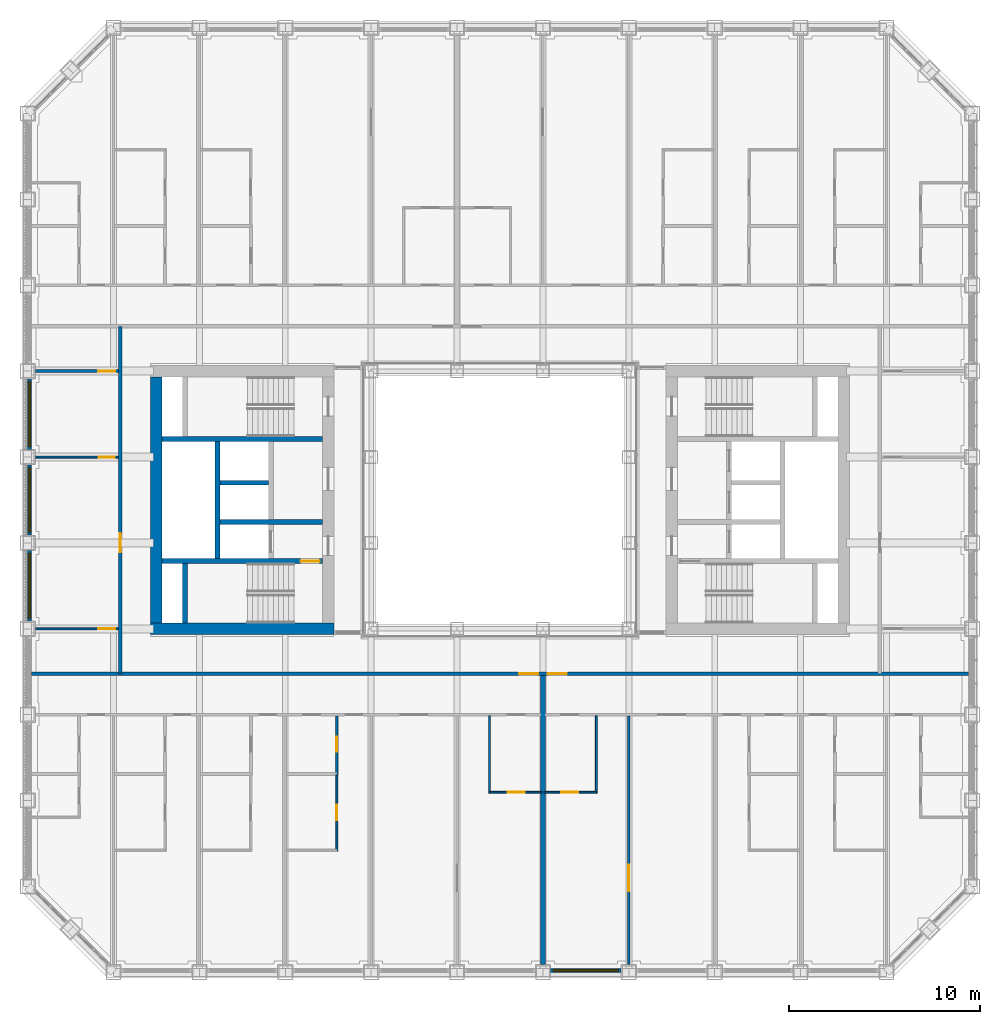
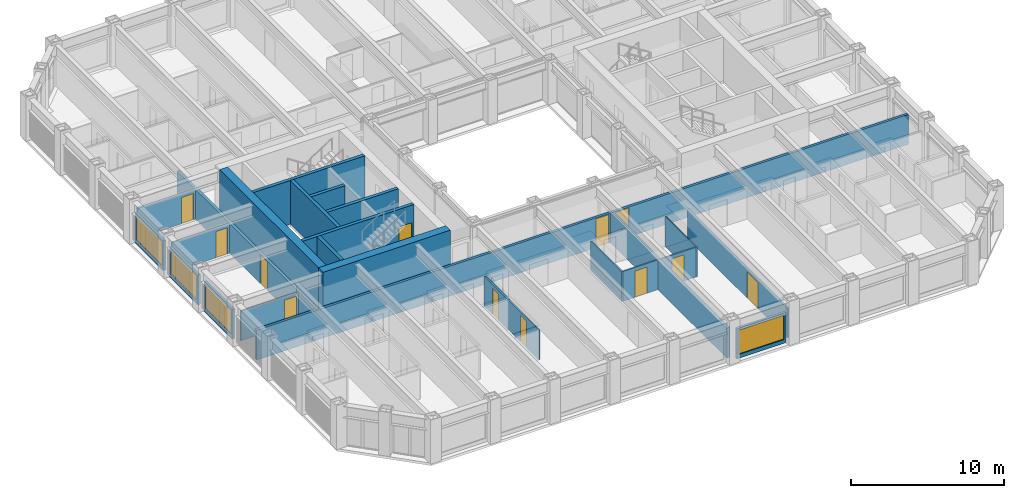
# One storey, part 10 of 21: 25 walls, 12 doors, 4 windows, 16 openings.
"""IFC4 building model written with IfcOpenShell, lengths in metres."""

from ifc_helpers import new_model, si_unit, direction, frame, frame_2d, origin, place, context, subcontext, project, spatial, rectangle, extrude, material, layer, layer_set, type_object, element, fill, save


model = new_model("IFC4")

# Units and contexts
model_context = context("Model", 3, precision=1e-05, world=origin(), true_north=direction((0.0, 1.0)))
body_context = subcontext(model_context, "Body", "Model", "MODEL_VIEW")
ifc_project = project(units=[si_unit("LENGTHUNIT", "METRE"), si_unit("AREAUNIT", "SQUARE_METRE"), si_unit("VOLUMEUNIT", "CUBIC_METRE"), si_unit("PLANEANGLEUNIT", "RADIAN"), si_unit("MASSUNIT", "GRAM", prefix="KILO")], contexts=[model_context])

# Site, building, storey
site_placement = place(None, origin())
site = spatial("IfcSite", under=ifc_project, at=site_placement, CompositionType="ELEMENT")
building_placement = place(site_placement, origin())
building = spatial("IfcBuilding", under=site, at=building_placement, Name="Msasa Ring Tower", CompositionType="ELEMENT")
storey_placement = place(building_placement, frame((0.0, 0.0, 86.0)))
storey = spatial("IfcBuildingStorey", under=building, at=storey_placement, Name="L22", CompositionType="ELEMENT", Elevation=86.0)

# Walls
ifc_material_1 = material(Name="Concrete C60/75", Category="concrete")
ifc_layer_1 = layer(ifc_material_1, 0.60009765625)
ifc_layer_set_1 = layer_set([ifc_layer_1], Name="CW1 CORE WALL 600")
wall_type_1 = type_object("IfcWallType", Name="CW1 CORE WALL 600", PredefinedType="SHEAR", material=ifc_layer_set_1)
wall_1_placement = place(storey_placement, frame((-8.699951171875, -6.75, 0.0), z_axis=(0.0, 0.0, 1.0), x_axis=(-1.0, 0.0, 0.0)))
element("IfcWall", 1, at=wall_1_placement, inside=storey, type_object=wall_type_1, Name="W core wall S L22", PredefinedType="SHEAR", context=body_context, shape_type="SweptSolid", body=[
    extrude(rectangle(XDim=9.60009765625, YDim=0.60009765625, at=frame_2d((4.800048828125, 0.0))), origin(), (0.0, 0.0, 1.0), 3.5),
])
wall_2_placement = place(storey_placement, frame((-18.0, -6.449951171875, 0.0), z_axis=(0.0, 0.0, 1.0), x_axis=(0.0, 1.0, 0.0)))
element("IfcWall", 2, at=wall_2_placement, inside=storey, type_object=wall_type_1, Name="W core wall E L22", PredefinedType="SHEAR", context=body_context, shape_type="SweptSolid", body=[
    extrude(rectangle(XDim=12.89990234375, YDim=0.60009765625, at=frame_2d((6.449951171875, 0.0))), origin(), (0.0, 0.0, 1.0), 3.5),
])

# Wall, opening, door
ifc_material_2 = material(Name="Concrete C60/75", Category="concrete")
ifc_layer_2 = layer(ifc_material_2, 0.25)
ifc_layer_set_2 = layer_set([ifc_layer_2], Name="CW4 CORE INNER WALL 250")
wall_type_2 = type_object("IfcWallType", Name="CW4 CORE INNER WALL 250", PredefinedType="SHEAR", material=ifc_layer_set_2)
wall_3_placement = place(storey_placement, frame((-9.300048828125, -3.199951171875, 0.0), z_axis=(0.0, 0.0, 1.0), x_axis=(-1.0, 0.0, 0.0)))
wall_3 = element("IfcWall", 3, at=wall_3_placement, inside=storey, type_object=wall_type_2, Name="W core wall STAIRA L22", PredefinedType="SHEAR", context=body_context, shape_type="SweptSolid", body=[
    extrude(rectangle(XDim=8.39990234375, YDim=0.25, at=frame_2d((4.199951171875, 0.0))), origin(), (0.0, 0.0, 1.0), 3.5),
])
opening_1_placement = place(wall_3_placement, frame((0.14990234375, 0.0, 0.0)))
opening_1 = element("IfcOpeningElement", 4, at=opening_1_placement, cuts=wall_3, Name="Opening RF-048", PredefinedType="OPENING", context=body_context, shape_type="SweptSolid", body=[
    extrude(rectangle(XDim=1.0, YDim=2.10009765625, at=frame_2d((0.5, 1.050048828125))), frame((0.0, 0.135009765625, 0.0), z_axis=(0.0, -1.0, 0.0), x_axis=(1.0, 0.0, 0.0)), (0.0, 0.0, 1.0), 0.27001953125),
])
ifc_material_3 = material(Name="Timber door leaf in a steel frame", Category="steel")
door_type_1 = type_object("IfcDoorType", Name="D6 STAIR DOOR 1000x2100", OperationType="SINGLE_SWING_LEFT", PredefinedType="DOOR", material=ifc_material_3)
door_1_placement = place(opening_1_placement, origin())
door_1 = element("IfcDoor", 5, at=door_1_placement, inside=storey, type_object=door_type_1, Name="Door L22-WSTA", OperationType="SINGLE_SWING_LEFT", OverallHeight=2.10009765625, OverallWidth=1.0, PredefinedType="DOOR", context=body_context, shape_type="SweptSolid", body=[
    extrude(rectangle(XDim=1.0, YDim=2.10009765625, at=frame_2d((0.5, 1.050048828125))), frame((0.0, 0.02490234375, 0.0), z_axis=(0.0, -1.0, 0.0), x_axis=(1.0, 0.0, 0.0)), (0.0, 0.0, 1.0), 0.050048828125),
])
fill(opening_1, door_1)

# Walls
wall_4_placement = place(storey_placement, frame((-9.300048828125, 3.199951171875, 0.0), z_axis=(0.0, 0.0, 1.0), x_axis=(-1.0, 0.0, 0.0)))
element("IfcWall", 6, at=wall_4_placement, inside=storey, type_object=wall_type_2, Name="W core wall STAIRB L22", PredefinedType="SHEAR", context=body_context, shape_type="SweptSolid", body=[
    extrude(rectangle(XDim=8.39990234375, YDim=0.25, at=frame_2d((4.199951171875, 0.0))), origin(), (0.0, 0.0, 1.0), 3.5),
])
wall_5_placement = place(storey_placement, frame((-16.5, -6.449951171875, 0.0), z_axis=(0.0, 0.0, 1.0), x_axis=(0.0, 1.0, 0.0)))
element("IfcWall", 7, at=wall_5_placement, inside=storey, type_object=wall_type_2, Name="W core wall RISERA L22", PredefinedType="SHEAR", context=body_context, shape_type="SweptSolid", body=[
    extrude(rectangle(XDim=3.125, YDim=0.25, at=frame_2d((1.5625, 0.0))), origin(), (0.0, 0.0, 1.0), 3.5),
])
wall_6_placement = place(storey_placement, frame((-9.300048828125, -1.14990234375, 0.0), z_axis=(0.0, 0.0, 1.0), x_axis=(-1.0, 0.0, 0.0)))
element("IfcWall", 8, at=wall_6_placement, inside=storey, type_object=wall_type_2, Name="W core wall FFL L22", PredefinedType="SHEAR", context=body_context, shape_type="SweptSolid", body=[
    extrude(rectangle(XDim=5.375, YDim=0.25, at=frame_2d((2.6875, 0.0))), origin(), (0.0, 0.0, 1.0), 3.5),
])
wall_7_placement = place(storey_placement, frame((-14.800048828125, -3.074951171875, 0.0), z_axis=(0.0, 0.0, 1.0), x_axis=(0.0, 1.0, 0.0)))
element("IfcWall", 9, at=wall_7_placement, inside=storey, type_object=wall_type_2, Name="W core wall SHAFT L22", PredefinedType="SHEAR", context=body_context, shape_type="SweptSolid", body=[
    extrude(rectangle(XDim=6.14990234375, YDim=0.25, at=frame_2d((3.074951171875, 0.0))), origin(), (0.0, 0.0, 1.0), 3.5),
])
wall_8_placement = place(storey_placement, frame((-12.125, 0.89990234375, 0.0), z_axis=(0.0, 0.0, 1.0), x_axis=(-1.0, 0.0, 0.0)))
element("IfcWall", 10, at=wall_8_placement, inside=storey, type_object=wall_type_2, Name="W core wall LIFT1 L22", PredefinedType="SHEAR", context=body_context, shape_type="SweptSolid", body=[
    extrude(rectangle(XDim=2.550048828125, YDim=0.25, at=frame_2d((1.27490234375, 0.0))), origin(), (0.0, 0.0, 1.0), 3.5),
])

# Wall, opening, window
ifc_material_4 = material(Name="Terracotta rainscreen on blockwork", Category="masonry")
ifc_layer_3 = layer(ifc_material_4, 0.199951171875)
ifc_layer_set_3 = layer_set([ifc_layer_3], Name="FW1 TERRACOTTA-LINED INFILL BAY WALL 200")
wall_type_3 = type_object("IfcWallType", Name="FW1 TERRACOTTA-LINED INFILL BAY WALL 200", PredefinedType="SOLIDWALL", material=ifc_layer_set_3)
wall_9_placement = place(storey_placement, frame((2.655029296875, -24.64990234375, 0.0), z_axis=(0.0, 0.0, 1.0), x_axis=(1.0, 0.0, 0.0)))
wall_9 = element("IfcWall", 11, at=wall_9_placement, inside=storey, type_object=wall_type_3, Name="Infill bay wall S L22 05", PredefinedType="SOLIDWALL", context=body_context, shape_type="SweptSolid", body=[
    extrude(rectangle(XDim=3.68994140625, YDim=0.199951171875, at=frame_2d((1.844970703125, 0.0))), origin(), (0.0, 0.0, 1.0), 2.37890625),
])
opening_2_placement = place(wall_9_placement, frame((0.14501953125, 0.0, 0.300048828125)))
opening_2 = element("IfcOpeningElement", 12, at=opening_2_placement, cuts=wall_9, Name="Opening WN1", PredefinedType="OPENING", context=body_context, shape_type="SweptSolid", body=[
    extrude(rectangle(XDim=3.39990234375, YDim=1.928955078125, at=frame_2d((1.699951171875, 0.96435546875))), frame((0.0, 0.10986328125, 0.0), z_axis=(0.0, -1.0, 0.0), x_axis=(1.0, 0.0, 0.0)), (0.0, 0.0, 1.0), 0.219970703125),
])
ifc_material_5 = material(Name="Aluminium frame with clear glass", Category="aluminium")
window_type = type_object("IfcWindowType", Name="WN1 RESIDENCE WINDOW 3400x1929", PartitioningType="SINGLE_PANEL", PredefinedType="WINDOW", material=ifc_material_5)
window_1_placement = place(opening_2_placement, origin())
window_1 = element("IfcWindow", 13, at=window_1_placement, inside=storey, type_object=window_type, Name="Window S L22 05", OverallHeight=1.928955078125, OverallWidth=3.39990234375, PartitioningType="SINGLE_PANEL", PredefinedType="WINDOW", context=body_context, shape_type="SweptSolid", body=[
    extrude(rectangle(XDim=3.39990234375, YDim=1.928955078125, at=frame_2d((1.699951171875, 0.96435546875))), frame((0.0, 0.030029296875, 0.0), z_axis=(0.0, -1.0, 0.0), x_axis=(1.0, 0.0, 0.0)), (0.0, 0.0, 1.0), 0.06005859375),
])
fill(opening_2, window_1)

wall_10_placement = place(storey_placement, frame((-24.64990234375, -6.344970703125, 0.0), z_axis=(0.0, 0.0, 1.0), x_axis=(0.0, 1.0, 0.0)))
wall_10 = element("IfcWall", 14, at=wall_10_placement, inside=storey, type_object=wall_type_3, Name="Infill bay wall W L22 36", PredefinedType="SOLIDWALL", context=body_context, shape_type="SweptSolid", body=[
    extrude(rectangle(XDim=3.68994140625, YDim=0.199951171875, at=frame_2d((1.844970703125, 0.0))), origin(), (0.0, 0.0, 1.0), 2.37890625),
])
opening_3_placement = place(wall_10_placement, frame((0.14501953125, 0.0, 0.300048828125)))
opening_3 = element("IfcOpeningElement", 15, at=opening_3_placement, cuts=wall_10, Name="Opening WN1", PredefinedType="OPENING", context=body_context, shape_type="SweptSolid", body=[
    extrude(rectangle(XDim=3.39990234375, YDim=1.928955078125, at=frame_2d((1.699951171875, 0.96435546875))), frame((0.0, 0.10986328125, 0.0), z_axis=(0.0, -1.0, 0.0), x_axis=(1.0, 0.0, 0.0)), (0.0, 0.0, 1.0), 0.219970703125),
])
window_2_placement = place(opening_3_placement, origin())
window_2 = element("IfcWindow", 16, at=window_2_placement, inside=storey, type_object=window_type, Name="Window W L22 36", OverallHeight=1.928955078125, OverallWidth=3.39990234375, PartitioningType="SINGLE_PANEL", PredefinedType="WINDOW", context=body_context, shape_type="SweptSolid", body=[
    extrude(rectangle(XDim=3.39990234375, YDim=1.928955078125, at=frame_2d((1.699951171875, 0.96435546875))), frame((0.0, 0.030029296875, 0.0), z_axis=(0.0, -1.0, 0.0), x_axis=(1.0, 0.0, 0.0)), (0.0, 0.0, 1.0), 0.06005859375),
])
fill(opening_3, window_2)

wall_11_placement = place(storey_placement, frame((-24.64990234375, -1.844970703125, 0.0), z_axis=(0.0, 0.0, 1.0), x_axis=(0.0, 1.0, 0.0)))
wall_11 = element("IfcWall", 17, at=wall_11_placement, inside=storey, type_object=wall_type_3, Name="Infill bay wall W L22 37", PredefinedType="SOLIDWALL", context=body_context, shape_type="SweptSolid", body=[
    extrude(rectangle(XDim=3.68994140625, YDim=0.199951171875, at=frame_2d((1.844970703125, 0.0))), origin(), (0.0, 0.0, 1.0), 2.37890625),
])
opening_4_placement = place(wall_11_placement, frame((0.14501953125, 0.0, 0.300048828125)))
opening_4 = element("IfcOpeningElement", 18, at=opening_4_placement, cuts=wall_11, Name="Opening WN1", PredefinedType="OPENING", context=body_context, shape_type="SweptSolid", body=[
    extrude(rectangle(XDim=3.39990234375, YDim=1.928955078125, at=frame_2d((1.699951171875, 0.96435546875))), frame((0.0, 0.10986328125, 0.0), z_axis=(0.0, -1.0, 0.0), x_axis=(1.0, 0.0, 0.0)), (0.0, 0.0, 1.0), 0.219970703125),
])
window_3_placement = place(opening_4_placement, origin())
window_3 = element("IfcWindow", 19, at=window_3_placement, inside=storey, type_object=window_type, Name="Window W L22 37", OverallHeight=1.928955078125, OverallWidth=3.39990234375, PartitioningType="SINGLE_PANEL", PredefinedType="WINDOW", context=body_context, shape_type="SweptSolid", body=[
    extrude(rectangle(XDim=3.39990234375, YDim=1.928955078125, at=frame_2d((1.699951171875, 0.96435546875))), frame((0.0, 0.030029296875, 0.0), z_axis=(0.0, -1.0, 0.0), x_axis=(1.0, 0.0, 0.0)), (0.0, 0.0, 1.0), 0.06005859375),
])
fill(opening_4, window_3)

wall_12_placement = place(storey_placement, frame((-24.64990234375, 2.655029296875, 0.0), z_axis=(0.0, 0.0, 1.0), x_axis=(0.0, 1.0, 0.0)))
wall_12 = element("IfcWall", 20, at=wall_12_placement, inside=storey, type_object=wall_type_3, Name="Infill bay wall W L22 38", PredefinedType="SOLIDWALL", context=body_context, shape_type="SweptSolid", body=[
    extrude(rectangle(XDim=3.68994140625, YDim=0.199951171875, at=frame_2d((1.844970703125, 0.0))), origin(), (0.0, 0.0, 1.0), 2.37890625),
])
opening_5_placement = place(wall_12_placement, frame((0.14501953125, 0.0, 0.300048828125)))
opening_5 = element("IfcOpeningElement", 21, at=opening_5_placement, cuts=wall_12, Name="Opening WN1", PredefinedType="OPENING", context=body_context, shape_type="SweptSolid", body=[
    extrude(rectangle(XDim=3.39990234375, YDim=1.928955078125, at=frame_2d((1.699951171875, 0.96435546875))), frame((0.0, 0.10986328125, 0.0), z_axis=(0.0, -1.0, 0.0), x_axis=(1.0, 0.0, 0.0)), (0.0, 0.0, 1.0), 0.219970703125),
])
window_4_placement = place(opening_5_placement, origin())
window_4 = element("IfcWindow", 22, at=window_4_placement, inside=storey, type_object=window_type, Name="Window W L22 38", OverallHeight=1.928955078125, OverallWidth=3.39990234375, PartitioningType="SINGLE_PANEL", PredefinedType="WINDOW", context=body_context, shape_type="SweptSolid", body=[
    extrude(rectangle(XDim=3.39990234375, YDim=1.928955078125, at=frame_2d((1.699951171875, 0.96435546875))), frame((0.0, 0.030029296875, 0.0), z_axis=(0.0, -1.0, 0.0), x_axis=(1.0, 0.0, 0.0)), (0.0, 0.0, 1.0), 0.06005859375),
])
fill(opening_5, window_4)

# Wall, openings, doors
ifc_material_6 = material(Name="Concrete blockwork", Category="masonry")
ifc_layer_4 = layer(ifc_material_6, 0.199951171875)
ifc_layer_set_4 = layer_set([ifc_layer_4], Name="PT1 CORRIDOR WALL 200")
wall_type_4 = type_object("IfcWallType", Name="PT1 CORRIDOR WALL 200", PredefinedType="PARTITIONING", material=ifc_layer_set_4)
wall_13_placement = place(storey_placement, frame((-24.550048828125, -9.10009765625, 0.0), z_axis=(0.0, 0.0, 1.0), x_axis=(1.0, 0.0, 0.0)))
wall_13 = element("IfcWall", 23, at=wall_13_placement, inside=storey, type_object=wall_type_4, Name="Corridor wall L22-CORRS0", PredefinedType="PARTITIONING", context=body_context, shape_type="SweptSolid", body=[
    extrude(rectangle(XDim=49.10009765625, YDim=0.199951171875, at=frame_2d((24.550048828125, 0.0))), origin(), (0.0, 0.0, 1.0), 2.373291015625),
])
opening_6_placement = place(wall_13_placement, frame((25.550048828125, 0.0, 0.0)))
opening_6 = element("IfcOpeningElement", 24, at=opening_6_placement, cuts=wall_13, Name="Opening RF-054", PredefinedType="OPENING", context=body_context, shape_type="SweptSolid", body=[
    extrude(rectangle(XDim=1.0, YDim=2.300048828125, at=frame_2d((0.5, 1.14990234375))), frame((0.0, 0.10986328125, 0.0), z_axis=(0.0, -1.0, 0.0), x_axis=(1.0, 0.0, 0.0)), (0.0, 0.0, 1.0), 0.219970703125),
])
opening_7_placement = place(wall_13_placement, frame((27.050048828125, 0.0, 0.0)))
opening_7 = element("IfcOpeningElement", 25, at=opening_7_placement, cuts=wall_13, Name="Opening RF-055", PredefinedType="OPENING", context=body_context, shape_type="SweptSolid", body=[
    extrude(rectangle(XDim=1.0, YDim=2.300048828125, at=frame_2d((0.5, 1.14990234375))), frame((0.0, 0.10986328125, 0.0), z_axis=(0.0, -1.0, 0.0), x_axis=(1.0, 0.0, 0.0)), (0.0, 0.0, 1.0), 0.219970703125),
])
ifc_material_7 = material(Name="Timber door leaf in a steel frame", Category="steel")
door_type_2 = type_object("IfcDoorType", Name="D16 UPPER RESIDENCE ENTRANCE DOOR 1000x2300", OperationType="SINGLE_SWING_LEFT", PredefinedType="DOOR", material=ifc_material_7)
door_2_placement = place(opening_6_placement, origin())
door_2 = element("IfcDoor", 26, at=door_2_placement, inside=storey, type_object=door_type_2, Name="Door L22-VSW", OperationType="SINGLE_SWING_RIGHT", OverallHeight=2.300048828125, OverallWidth=1.0, PredefinedType="DOOR", context=body_context, shape_type="SweptSolid", body=[
    extrude(rectangle(XDim=1.0, YDim=2.300048828125, at=frame_2d((0.5, 1.14990234375))), frame((0.0, 0.02490234375, 0.0), z_axis=(0.0, -1.0, 0.0), x_axis=(1.0, 0.0, 0.0)), (0.0, 0.0, 1.0), 0.050048828125),
])
fill(opening_6, door_2)
door_3_placement = place(opening_7_placement, origin())
door_3 = element("IfcDoor", 27, at=door_3_placement, inside=storey, type_object=door_type_2, Name="Door L22-VSE", OperationType="SINGLE_SWING_RIGHT", OverallHeight=2.300048828125, OverallWidth=1.0, PredefinedType="DOOR", context=body_context, shape_type="SweptSolid", body=[
    extrude(rectangle(XDim=1.0, YDim=2.300048828125, at=frame_2d((0.5, 1.14990234375))), frame((0.0, 0.02490234375, 0.0), z_axis=(0.0, -1.0, 0.0), x_axis=(1.0, 0.0, 0.0)), (0.0, 0.0, 1.0), 0.050048828125),
])
fill(opening_7, door_3)

# Wall, opening, door
wall_14_placement = place(storey_placement, frame((-19.89990234375, -9.10009765625, 0.0), z_axis=(0.0, 0.0, 1.0), x_axis=(0.0, 1.0, 0.0)))
wall_14 = element("IfcWall", 28, at=wall_14_placement, inside=storey, type_object=wall_type_4, Name="Corridor wall L22-STRW", PredefinedType="PARTITIONING", context=body_context, shape_type="SweptSolid", body=[
    extrude(rectangle(XDim=18.2001953125, YDim=0.199951171875, at=frame_2d((9.10009765625, 0.0))), origin(), (0.0, 0.0, 1.0), 2.373291015625),
])
opening_8_placement = place(wall_14_placement, frame((6.35009765625, 0.0, 0.0)))
opening_8 = element("IfcOpeningElement", 29, at=opening_8_placement, cuts=wall_14, Name="Opening RF-044", PredefinedType="OPENING", context=body_context, shape_type="SweptSolid", body=[
    extrude(rectangle(XDim=1.0, YDim=2.300048828125, at=frame_2d((0.5, 1.14990234375))), frame((0.0, 0.10986328125, 0.0), z_axis=(0.0, -1.0, 0.0), x_axis=(1.0, 0.0, 0.0)), (0.0, 0.0, 1.0), 0.219970703125),
])
door_4_placement = place(opening_8_placement, origin())
door_4 = element("IfcDoor", 30, at=door_4_placement, inside=storey, type_object=door_type_2, Name="Door L22-STW", OperationType="SINGLE_SWING_LEFT", OverallHeight=2.300048828125, OverallWidth=1.0, PredefinedType="DOOR", context=body_context, shape_type="SweptSolid", body=[
    extrude(rectangle(XDim=1.0, YDim=2.300048828125, at=frame_2d((0.5, 1.14990234375))), frame((0.0, 0.02490234375, 0.0), z_axis=(0.0, -1.0, 0.0), x_axis=(1.0, 0.0, 0.0)), (0.0, 0.0, 1.0), 0.050048828125),
])
fill(opening_8, door_4)

# Wall
ifc_material_8 = material(Name="Gypsum board on steel studs", Category="steel")
ifc_layer_5 = layer(ifc_material_8, 0.10009765625)
ifc_layer_set_5 = layer_set([ifc_layer_5], Name="PT2 STUD PARTITION 100")
wall_type_5 = type_object("IfcWallType", Name="PT2 STUD PARTITION 100", PredefinedType="PARTITIONING", material=ifc_layer_set_5)
wall_15_placement = place(storey_placement, frame((-0.550048828125, -15.362548828125, 0.0), z_axis=(0.0, 0.0, 1.0), x_axis=(0.0, 1.0, 0.0)))
element("IfcWall", 31, at=wall_15_placement, inside=storey, type_object=wall_type_5, Name="Partition L22-VSWKX", PredefinedType="PARTITIONING", context=body_context, shape_type="SweptSolid", body=[
    extrude(rectangle(XDim=4.050048828125, YDim=0.10009765625, at=frame_2d((2.02490234375, 0.0))), origin(), (0.0, 0.0, 1.0), 2.373291015625),
])

# Wall, opening, door
wall_16_placement = place(storey_placement, frame((-0.550048828125, -15.3125, 0.0), z_axis=(0.0, 0.0, 1.0), x_axis=(1.0, 0.0, 0.0)))
wall_16 = element("IfcWall", 32, at=wall_16_placement, inside=storey, type_object=wall_type_5, Name="Partition L22-VSWKY", PredefinedType="PARTITIONING", context=body_context, shape_type="SweptSolid", body=[
    extrude(rectangle(XDim=2.732666015625, YDim=0.10009765625, at=frame_2d((1.3662109375, 0.0))), origin(), (0.0, 0.0, 1.0), 2.373291015625),
])
opening_9_placement = place(wall_16_placement, frame((0.949951171875, 0.0, 0.0)))
opening_9 = element("IfcOpeningElement", 33, at=opening_9_placement, cuts=wall_16, Name="Opening RF-076", PredefinedType="OPENING", context=body_context, shape_type="SweptSolid", body=[
    extrude(rectangle(XDim=0.89990234375, YDim=2.10009765625, at=frame_2d((0.449951171875, 1.050048828125))), frame((0.0, 0.06005859375, 0.0), z_axis=(0.0, -1.0, 0.0), x_axis=(1.0, 0.0, 0.0)), (0.0, 0.0, 1.0), 0.1201171875),
])
ifc_material_9 = material(Name="Timber door leaf in a steel frame", Category="steel")
door_type_3 = type_object("IfcDoorType", Name="D22 INTERNAL HALL DOOR 900x2100", OperationType="SINGLE_SWING_LEFT", PredefinedType="DOOR", material=ifc_material_9)
door_5_placement = place(opening_9_placement, origin())
door_5 = element("IfcDoor", 34, at=door_5_placement, inside=storey, type_object=door_type_3, Name="Door L22-VSWKD", OperationType="SINGLE_SWING_RIGHT", OverallHeight=2.10009765625, OverallWidth=0.89990234375, PredefinedType="DOOR", context=body_context, shape_type="SweptSolid", body=[
    extrude(rectangle(XDim=0.89990234375, YDim=2.10009765625, at=frame_2d((0.449951171875, 1.050048828125))), frame((0.0, 0.02490234375, 0.0), z_axis=(0.0, -1.0, 0.0), x_axis=(1.0, 0.0, 0.0)), (0.0, 0.0, 1.0), 0.050048828125),
])
fill(opening_9, door_5)

wall_17_placement = place(storey_placement, frame((-8.550048828125, -18.403076171875, 0.0), z_axis=(0.0, 0.0, 1.0), x_axis=(0.0, 1.0, 0.0)))
wall_17 = element("IfcWall", 35, at=wall_17_placement, inside=storey, type_object=wall_type_5, Name="Partition L22-VSWWX1", PredefinedType="PARTITIONING", context=body_context, shape_type="SweptSolid", body=[
    extrude(rectangle(XDim=4.003173828125, YDim=0.10009765625, at=frame_2d((2.00146484375, 0.0))), origin(), (0.0, 0.0, 1.0), 2.373291015625),
])
opening_10_placement = place(wall_17_placement, frame((1.626708984375, 0.0, 0.0)))
opening_10 = element("IfcOpeningElement", 36, at=opening_10_placement, cuts=wall_17, Name="Opening RF-082", PredefinedType="OPENING", context=body_context, shape_type="SweptSolid", body=[
    extrude(rectangle(XDim=0.800048828125, YDim=2.10009765625, at=frame_2d((0.39990234375, 1.050048828125))), frame((0.0, 0.06005859375, 0.0), z_axis=(0.0, -1.0, 0.0), x_axis=(1.0, 0.0, 0.0)), (0.0, 0.0, 1.0), 0.1201171875),
])
ifc_material_10 = material(Name="Timber door leaf in a steel frame", Category="steel")
door_type_4 = type_object("IfcDoorType", Name="D60 DRESSING ROOM DOOR 800x2100", OperationType="SINGLE_SWING_LEFT", PredefinedType="DOOR", material=ifc_material_10)
door_6_placement = place(opening_10_placement, origin())
door_6 = element("IfcDoor", 37, at=door_6_placement, inside=storey, type_object=door_type_4, Name="Door L22-VSWW1", OperationType="SINGLE_SWING_LEFT", OverallHeight=2.10009765625, OverallWidth=0.800048828125, PredefinedType="DOOR", context=body_context, shape_type="SweptSolid", body=[
    extrude(rectangle(XDim=0.800048828125, YDim=2.10009765625, at=frame_2d((0.39990234375, 1.050048828125))), frame((0.0, 0.02490234375, 0.0), z_axis=(0.0, -1.0, 0.0), x_axis=(1.0, 0.0, 0.0)), (0.0, 0.0, 1.0), 0.050048828125),
])
fill(opening_10, door_6)

# Wall
wall_18_placement = place(storey_placement, frame((5.050048828125, -15.362548828125, 0.0), z_axis=(0.0, 0.0, 1.0), x_axis=(0.0, 1.0, 0.0)))
element("IfcWall", 38, at=wall_18_placement, inside=storey, type_object=wall_type_5, Name="Partition L22-VSEKX", PredefinedType="PARTITIONING", context=body_context, shape_type="SweptSolid", body=[
    extrude(rectangle(XDim=4.050048828125, YDim=0.10009765625, at=frame_2d((2.02490234375, 0.0))), origin(), (0.0, 0.0, 1.0), 2.373291015625),
])

# Wall, opening, door
wall_19_placement = place(storey_placement, frame((2.3173828125, -15.3125, 0.0), z_axis=(0.0, 0.0, 1.0), x_axis=(1.0, 0.0, 0.0)))
wall_19 = element("IfcWall", 39, at=wall_19_placement, inside=storey, type_object=wall_type_5, Name="Partition L22-VSEKY", PredefinedType="PARTITIONING", context=body_context, shape_type="SweptSolid", body=[
    extrude(rectangle(XDim=2.732666015625, YDim=0.10009765625, at=frame_2d((1.3662109375, 0.0))), origin(), (0.0, 0.0, 1.0), 2.373291015625),
])
opening_11_placement = place(wall_19_placement, frame((0.882568359375, 0.0, 0.0)))
opening_11 = element("IfcOpeningElement", 40, at=opening_11_placement, cuts=wall_19, Name="Opening RF-077", PredefinedType="OPENING", context=body_context, shape_type="SweptSolid", body=[
    extrude(rectangle(XDim=0.89990234375, YDim=2.10009765625, at=frame_2d((0.449951171875, 1.050048828125))), frame((0.0, 0.06005859375, 0.0), z_axis=(0.0, -1.0, 0.0), x_axis=(1.0, 0.0, 0.0)), (0.0, 0.0, 1.0), 0.1201171875),
])
door_7_placement = place(opening_11_placement, origin())
door_7 = element("IfcDoor", 41, at=door_7_placement, inside=storey, type_object=door_type_3, Name="Door L22-VSEKD", OperationType="SINGLE_SWING_LEFT", OverallHeight=2.10009765625, OverallWidth=0.89990234375, PredefinedType="DOOR", context=body_context, shape_type="SweptSolid", body=[
    extrude(rectangle(XDim=0.89990234375, YDim=2.10009765625, at=frame_2d((0.449951171875, 1.050048828125))), frame((0.0, 0.02490234375, 0.0), z_axis=(0.0, -1.0, 0.0), x_axis=(1.0, 0.0, 0.0)), (0.0, 0.0, 1.0), 0.050048828125),
])
fill(opening_11, door_7)

wall_20_placement = place(storey_placement, frame((-24.35009765625, -6.75, 0.0), z_axis=(0.0, 0.0, 1.0), x_axis=(1.0, 0.0, 0.0)))
wall_20 = element("IfcWall", 42, at=wall_20_placement, inside=storey, type_object=wall_type_5, Name="Partition L22-STWKY", PredefinedType="PARTITIONING", context=body_context, shape_type="SweptSolid", body=[
    extrude(rectangle(XDim=4.35009765625, YDim=0.10009765625, at=frame_2d((2.175048828125, 0.0))), origin(), (0.0, 0.0, 1.0), 2.373291015625),
])
opening_12_placement = place(wall_20_placement, frame((3.300048828125, 0.0, 0.0)))
opening_12 = element("IfcOpeningElement", 43, at=opening_12_placement, cuts=wall_20, Name="Opening RF-050", PredefinedType="OPENING", context=body_context, shape_type="SweptSolid", body=[
    extrude(rectangle(XDim=0.89990234375, YDim=2.10009765625, at=frame_2d((0.449951171875, 1.050048828125))), frame((0.0, 0.06005859375, 0.0), z_axis=(0.0, -1.0, 0.0), x_axis=(1.0, 0.0, 0.0)), (0.0, 0.0, 1.0), 0.1201171875),
])
door_8_placement = place(opening_12_placement, origin())
door_8 = element("IfcDoor", 44, at=door_8_placement, inside=storey, type_object=door_type_3, Name="Door L22-STWK", OperationType="SINGLE_SWING_RIGHT", OverallHeight=2.10009765625, OverallWidth=0.89990234375, PredefinedType="DOOR", context=body_context, shape_type="SweptSolid", body=[
    extrude(rectangle(XDim=0.89990234375, YDim=2.10009765625, at=frame_2d((0.449951171875, 1.050048828125))), frame((0.0, 0.02490234375, 0.0), z_axis=(0.0, -1.0, 0.0), x_axis=(1.0, 0.0, 0.0)), (0.0, 0.0, 1.0), 0.050048828125),
])
fill(opening_12, door_8)

wall_21_placement = place(storey_placement, frame((-24.35009765625, 2.25, 0.0), z_axis=(0.0, 0.0, 1.0), x_axis=(1.0, 0.0, 0.0)))
wall_21 = element("IfcWall", 45, at=wall_21_placement, inside=storey, type_object=wall_type_5, Name="Partition L22-STWRY", PredefinedType="PARTITIONING", context=body_context, shape_type="SweptSolid", body=[
    extrude(rectangle(XDim=4.35009765625, YDim=0.10009765625, at=frame_2d((2.175048828125, 0.0))), origin(), (0.0, 0.0, 1.0), 2.373291015625),
])
opening_13_placement = place(wall_21_placement, frame((3.324951171875, 0.0, 0.0)))
opening_13 = element("IfcOpeningElement", 46, at=opening_13_placement, cuts=wall_21, Name="Opening RF-040", PredefinedType="OPENING", context=body_context, shape_type="SweptSolid", body=[
    extrude(rectangle(XDim=0.85009765625, YDim=2.10009765625, at=frame_2d((0.425048828125, 1.050048828125))), frame((0.0, 0.06005859375, 0.0), z_axis=(0.0, -1.0, 0.0), x_axis=(1.0, 0.0, 0.0)), (0.0, 0.0, 1.0), 0.1201171875),
])
ifc_material_11 = material(Name="Timber door leaf in a steel frame", Category="steel")
door_type_5 = type_object("IfcDoorType", Name="D14 BEDROOM DOOR 850x2100", OperationType="SINGLE_SWING_LEFT", PredefinedType="DOOR", material=ifc_material_11)
door_9_placement = place(opening_13_placement, origin())
door_9 = element("IfcDoor", 47, at=door_9_placement, inside=storey, type_object=door_type_5, Name="Door L22-STWR", OperationType="SINGLE_SWING_RIGHT", OverallHeight=2.10009765625, OverallWidth=0.85009765625, PredefinedType="DOOR", context=body_context, shape_type="SweptSolid", body=[
    extrude(rectangle(XDim=0.85009765625, YDim=2.10009765625, at=frame_2d((0.425048828125, 1.050048828125))), frame((0.0, 0.02490234375, 0.0), z_axis=(0.0, -1.0, 0.0), x_axis=(1.0, 0.0, 0.0)), (0.0, 0.0, 1.0), 0.050048828125),
])
fill(opening_13, door_9)

# Wall
ifc_material_12 = material(Name="Dense concrete blockwork, plastered both faces", Category="masonry")
ifc_layer_6 = layer(ifc_material_12, 0.25)
ifc_layer_set_6 = layer_set([ifc_layer_6], Name="PT3 APARTMENT SEPARATING WALL 250")
wall_type_6 = type_object("IfcWallType", Name="PT3 APARTMENT SEPARATING WALL 250", PredefinedType="PARTITIONING", material=ifc_layer_set_6)
wall_22_placement = place(storey_placement, frame((2.25, -24.35009765625, 0.0), z_axis=(0.0, 0.0, 1.0), x_axis=(0.0, 1.0, 0.0)))
element("IfcWall", 48, at=wall_22_placement, inside=storey, type_object=wall_type_6, Name="Party wall L22-PWS+2.25", PredefinedType="PARTITIONING", context=body_context, shape_type="SweptSolid", body=[
    extrude(rectangle(XDim=15.150146484375, YDim=0.25, at=frame_2d((7.5751953125, 0.0))), origin(), (0.0, 0.0, 1.0), 2.373291015625),
])

# Wall, opening, door
ifc_material_13 = material(Name="Moisture-resistant board on steel studs with a concealed cistern and pipe void, tiled", Category="steel")
ifc_layer_7 = layer(ifc_material_13, 0.14990234375)
ifc_layer_set_7 = layer_set([ifc_layer_7], Name="PT4 BATHROOM WET WALL 150")
wall_type_7 = type_object("IfcWallType", Name="PT4 BATHROOM WET WALL 150", PredefinedType="PARTITIONING", material=ifc_layer_set_7)
wall_23_placement = place(storey_placement, frame((-8.550048828125, -14.39990234375, 0.0), z_axis=(0.0, 0.0, 1.0), x_axis=(0.0, 1.0, 0.0)))
wall_23 = element("IfcWall", 49, at=wall_23_placement, inside=storey, type_object=wall_type_7, Name="Partition L22-VSWBX1", PredefinedType="PARTITIONING", context=body_context, shape_type="SweptSolid", body=[
    extrude(rectangle(XDim=3.08740234375, YDim=0.14990234375, at=frame_2d((1.543701171875, 0.0))), origin(), (0.0, 0.0, 1.0), 2.373291015625),
])
opening_14_placement = place(wall_23_placement, frame((1.199951171875, 0.0, 0.0)))
opening_14 = element("IfcOpeningElement", 50, at=opening_14_placement, cuts=wall_23, Name="Opening RF-072", PredefinedType="OPENING", context=body_context, shape_type="SweptSolid", body=[
    extrude(rectangle(XDim=0.800048828125, YDim=2.10009765625, at=frame_2d((0.39990234375, 1.050048828125))), frame((0.0, 0.0849609375, 0.0), z_axis=(0.0, -1.0, 0.0), x_axis=(1.0, 0.0, 0.0)), (0.0, 0.0, 1.0), 0.169921875),
])
ifc_material_14 = material(Name="Timber door leaf in a steel frame", Category="steel")
door_type_6 = type_object("IfcDoorType", Name="D21 POCKET SLIDING BATHROOM DOOR 800x2100", OperationType="SINGLE_SWING_LEFT", PredefinedType="DOOR", material=ifc_material_14)
door_10_placement = place(opening_14_placement, origin())
door_10 = element("IfcDoor", 51, at=door_10_placement, inside=storey, type_object=door_type_6, Name="Door L22-VSWB1", OperationType="SINGLE_SWING_RIGHT", OverallHeight=2.10009765625, OverallWidth=0.800048828125, PredefinedType="DOOR", context=body_context, shape_type="SweptSolid", body=[
    extrude(rectangle(XDim=0.800048828125, YDim=2.10009765625, at=frame_2d((0.39990234375, 1.050048828125))), frame((0.0, 0.02490234375, 0.0), z_axis=(0.0, -1.0, 0.0), x_axis=(1.0, 0.0, 0.0)), (0.0, 0.0, 1.0), 0.050048828125),
])
fill(opening_14, door_10)

wall_24_placement = place(storey_placement, frame((-24.35009765625, 6.75, 0.0), z_axis=(0.0, 0.0, 1.0), x_axis=(1.0, 0.0, 0.0)))
wall_24 = element("IfcWall", 52, at=wall_24_placement, inside=storey, type_object=wall_type_7, Name="Partition L22-STWBY", PredefinedType="PARTITIONING", context=body_context, shape_type="SweptSolid", body=[
    extrude(rectangle(XDim=4.35009765625, YDim=0.14990234375, at=frame_2d((2.175048828125, 0.0))), origin(), (0.0, 0.0, 1.0), 2.373291015625),
])
opening_15_placement = place(wall_24_placement, frame((3.300048828125, 0.0, 0.0)))
opening_15 = element("IfcOpeningElement", 53, at=opening_15_placement, cuts=wall_24, Name="Opening RF-036", PredefinedType="OPENING", context=body_context, shape_type="SweptSolid", body=[
    extrude(rectangle(XDim=0.89990234375, YDim=2.10009765625, at=frame_2d((0.449951171875, 1.050048828125))), frame((0.0, 0.0849609375, 0.0), z_axis=(0.0, -1.0, 0.0), x_axis=(1.0, 0.0, 0.0)), (0.0, 0.0, 1.0), 0.169921875),
])
ifc_material_15 = material(Name="Timber door leaf in a steel frame", Category="steel")
door_type_7 = type_object("IfcDoorType", Name="D3 BATHROOM DOOR 900x2100", OperationType="SINGLE_SWING_LEFT", PredefinedType="DOOR", material=ifc_material_15)
door_11_placement = place(opening_15_placement, origin())
door_11 = element("IfcDoor", 54, at=door_11_placement, inside=storey, type_object=door_type_7, Name="Door L22-STWB", OperationType="SINGLE_SWING_RIGHT", OverallHeight=2.10009765625, OverallWidth=0.89990234375, PredefinedType="DOOR", context=body_context, shape_type="SweptSolid", body=[
    extrude(rectangle(XDim=0.89990234375, YDim=2.10009765625, at=frame_2d((0.449951171875, 1.050048828125))), frame((0.0, 0.02490234375, 0.0), z_axis=(0.0, -1.0, 0.0), x_axis=(1.0, 0.0, 0.0)), (0.0, 0.0, 1.0), 0.050048828125),
])
fill(opening_15, door_11)

ifc_material_16 = material(Name="Two layers of acoustic board each face on steel studs, mineral wool", Category="steel")
ifc_layer_8 = layer(ifc_material_16, 0.125)
ifc_layer_set_8 = layer_set([ifc_layer_8], Name="PT6 ACOUSTIC DOUBLE-BOARD PARTITION 125")
wall_type_8 = type_object("IfcWallType", Name="PT6 ACOUSTIC DOUBLE-BOARD PARTITION 125", PredefinedType="PARTITIONING", material=ifc_layer_set_8)
wall_25_placement = place(storey_placement, frame((6.75, -24.35009765625, 0.0), z_axis=(0.0, 0.0, 1.0), x_axis=(0.0, 1.0, 0.0)))
wall_25 = element("IfcWall", 55, at=wall_25_placement, inside=storey, type_object=wall_type_8, Name="Partition L22-VSELM", PredefinedType="PARTITIONING", context=body_context, shape_type="SweptSolid", body=[
    extrude(rectangle(XDim=13.03759765625, YDim=0.125, at=frame_2d((6.518798828125, 0.0))), origin(), (0.0, 0.0, 1.0), 2.373291015625),
])
opening_16_placement = place(wall_25_placement, frame((3.84375, 0.0, 0.0)))
opening_16 = element("IfcOpeningElement", 56, at=opening_16_placement, cuts=wall_25, Name="Opening RF-086", PredefinedType="OPENING", context=body_context, shape_type="SweptSolid", body=[
    extrude(rectangle(XDim=1.39990234375, YDim=2.10009765625, at=frame_2d((0.699951171875, 1.050048828125))), frame((0.0, 0.072509765625, 0.0), z_axis=(0.0, -1.0, 0.0), x_axis=(1.0, 0.0, 0.0)), (0.0, 0.0, 1.0), 0.14501953125),
])
ifc_material_17 = material(Name="Timber door leaf in a steel frame", Category="steel")
door_type_8 = type_object("IfcDoorType", Name="D15 LIVING ROOM PAIR OF GLAZED DOORS 1400x2100", OperationType="SINGLE_SWING_LEFT", PredefinedType="DOOR", material=ifc_material_17)
door_12_placement = place(opening_16_placement, origin())
door_12 = element("IfcDoor", 57, at=door_12_placement, inside=storey, type_object=door_type_8, Name="Door L22-VSELD", OperationType="SINGLE_SWING_LEFT", OverallHeight=2.10009765625, OverallWidth=1.39990234375, PredefinedType="DOOR", context=body_context, shape_type="SweptSolid", body=[
    extrude(rectangle(XDim=1.39990234375, YDim=2.10009765625, at=frame_2d((0.699951171875, 1.050048828125))), frame((0.0, 0.02490234375, 0.0), z_axis=(0.0, -1.0, 0.0), x_axis=(1.0, 0.0, 0.0)), (0.0, 0.0, 1.0), 0.050048828125),
])
fill(opening_16, door_12)

save(model, "model.ifc")
